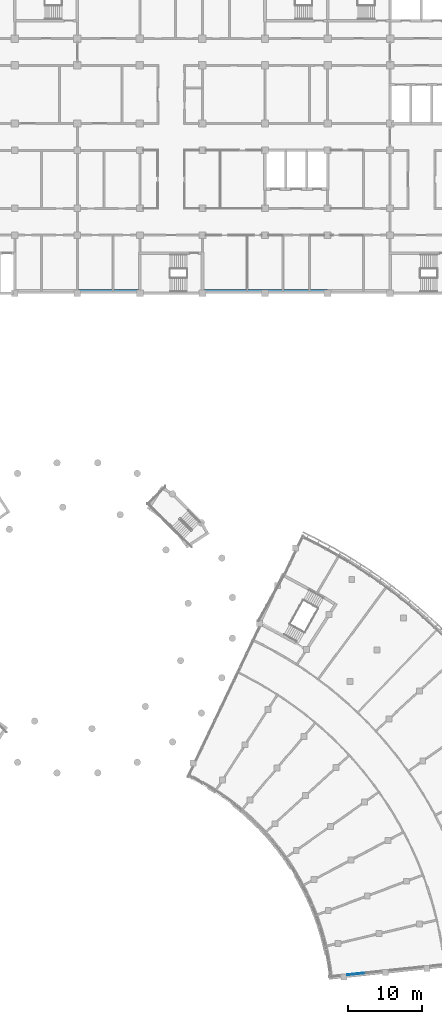
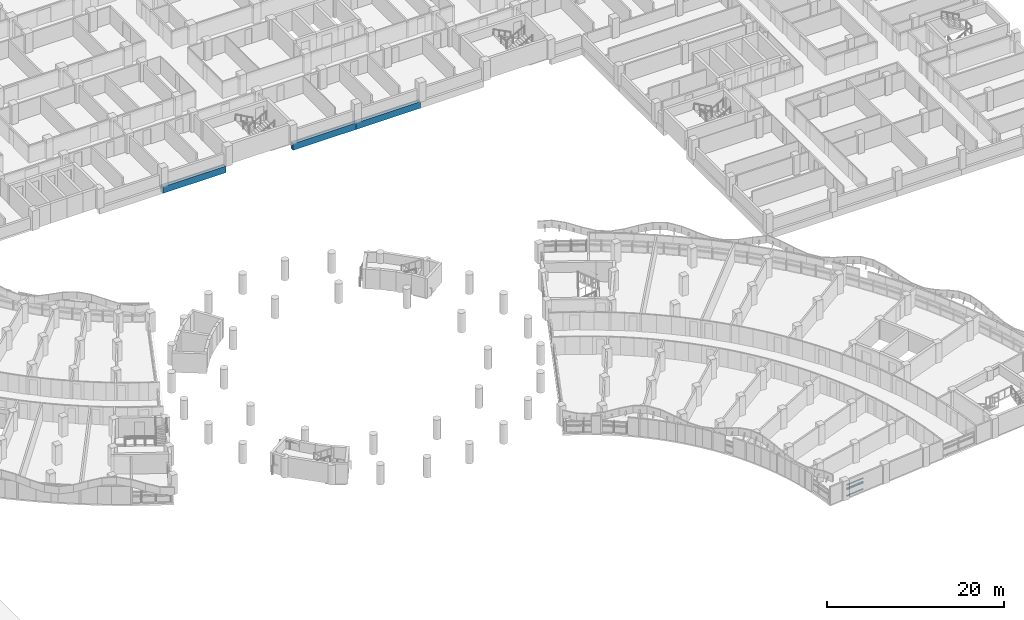
# One storey, part 18 of 89: 4 members, 3 beams, 1 element without a shape of its own.
"""IFC4 building model written with IfcOpenShell, lengths in metres."""

from ifc_helpers import new_model, si_unit, direction, frame, origin, origin_2d, place, context, subcontext, project, spatial, rectangle, extrude, material, material_profile, profile_set, type_object, element, aggregate, save


model = new_model("IFC4")

# Units and contexts
model_context = context("Model", 3, precision=1e-05, world=origin(), true_north=direction((0.0, 1.0)))
body_context = subcontext(model_context, "Body", "Model", "MODEL_VIEW")
ifc_project = project(units=[si_unit("LENGTHUNIT", "METRE"), si_unit("AREAUNIT", "SQUARE_METRE"), si_unit("VOLUMEUNIT", "CUBIC_METRE"), si_unit("PLANEANGLEUNIT", "RADIAN"), si_unit("MASSUNIT", "GRAM", prefix="KILO")], contexts=[model_context])

# Site, building, storey
site_placement = place(None, origin())
site = spatial("IfcSite", under=ifc_project, at=site_placement, CompositionType="ELEMENT")
building_placement = place(site_placement, origin())
building = spatial("IfcBuilding", under=site, at=building_placement, Name="Bougainvillea Quay General Hospital", CompositionType="ELEMENT")
storey_placement = place(building_placement, frame((0.0, 0.0, 9.89990234375)))
storey = spatial("IfcBuildingStorey", under=building, at=storey_placement, Name="L01M", CompositionType="ELEMENT", Elevation=9.89990234375)

# Curtain wall, members
ifc_material_1 = material(Name="Aluminium curtain wall system, powder-coated glazed", Category="aluminium")
curtain_wall_type = type_object("IfcCurtainWallType", Name="Unitised curtain wall CW-2380", PredefinedType="NOTDEFINED", material=ifc_material_1)
curtain_wall_placement = place(storey_placement, origin())
curtain_wall = element("IfcCurtainWall", 1, at=curtain_wall_placement, inside=storey, type_object=curtain_wall_type, Name="CW-AE 01", PredefinedType="NOTDEFINED")
ifc_material_2 = material(Name="Aluminium transom, powder-coated charcoal", Category="aluminium")
ifc_material_profile_1 = material_profile(ifc_material_2, rectangle(XDim=0.1201171875, YDim=0.06005859375, at=origin_2d()))
ifc_profile_set_1 = profile_set([ifc_material_profile_1], Name="Aluminium transom, powder-coated charcoal")
member_type = type_object("IfcMemberType", Name="Curtain wall transom 120x60", PredefinedType="USERDEFINED", material=ifc_profile_set_1)
member_1_placement = place(storey_placement, frame((145.45458984375, 26.061767578125, 0.030029296875), z_axis=(0.994515379813, 0.104590436063, 0.0), x_axis=(-0.104590436063, 0.994515379813, 0.0)))
member_1 = element("IfcMember", 2, at=member_1_placement, type_object=member_type, Name="CW-AE transom 1.1", ObjectType="TRANSOM", PredefinedType="USERDEFINED", context=body_context, shape_type="SweptSolid", body=[
    extrude(rectangle(XDim=0.1201171875, YDim=0.06005859375, at=origin_2d()), origin(), (0.0, 0.0, 1.0), 2.289794921875),
])
member_2_placement = place(storey_placement, frame((145.45458984375, 26.061767578125, 0.900146484375), z_axis=(0.994515379813, 0.104590436063, 0.0), x_axis=(-0.104590436063, 0.994515379813, 0.0)))
member_2 = element("IfcMember", 3, at=member_2_placement, type_object=member_type, Name="CW-AE transom 1.2", ObjectType="TRANSOM", PredefinedType="USERDEFINED", context=body_context, shape_type="SweptSolid", body=[
    extrude(rectangle(XDim=0.1201171875, YDim=0.06005859375, at=origin_2d()), origin(), (0.0, 0.0, 1.0), 2.289794921875),
])
member_3_placement = place(storey_placement, frame((145.45458984375, 26.061767578125, 1.050048828125), z_axis=(0.994515379813, 0.104590436063, 0.0), x_axis=(-0.104590436063, 0.994515379813, 0.0)))
member_3 = element("IfcMember", 4, at=member_3_placement, type_object=member_type, Name="CW-AE transom 1.3", ObjectType="TRANSOM", PredefinedType="USERDEFINED", context=body_context, shape_type="SweptSolid", body=[
    extrude(rectangle(XDim=0.1201171875, YDim=0.06005859375, at=origin_2d()), origin(), (0.0, 0.0, 1.0), 2.289794921875),
])
member_4_placement = place(storey_placement, frame((145.45458984375, 26.061767578125, 1.52001953125), z_axis=(0.994515379813, 0.104590436063, 0.0), x_axis=(-0.104590436063, 0.994515379813, 0.0)))
member_4 = element("IfcMember", 5, at=member_4_placement, type_object=member_type, Name="CW-AE transom 1.4", ObjectType="TRANSOM", PredefinedType="USERDEFINED", context=body_context, shape_type="SweptSolid", body=[
    extrude(rectangle(XDim=0.1201171875, YDim=0.06005859375, at=origin_2d()), origin(), (0.0, 0.0, 1.0), 2.289794921875),
])
aggregate(curtain_wall, [member_1, member_2, member_3, member_4])

# Beams
ifc_material_3 = material(Name="Concrete C40", Category="concrete")
ifc_material_profile_2 = material_profile(ifc_material_3, rectangle(XDim=0.5, YDim=0.89990234375, at=origin_2d()))
ifc_profile_set_2 = profile_set([ifc_material_profile_2], Name="Concrete C40")
beam_type = type_object("IfcBeamType", Name="RC BEAM 500x900 C40", PredefinedType="BEAM", material=ifc_profile_set_2)
beam_1_placement = place(storey_placement, frame((109.199951171875, 117.85009765625, -0.699951171875), z_axis=(1.0, 0.0, 0.0), x_axis=(0.0, 1.0, 0.0)))
element("IfcBeam", 6, at=beam_1_placement, inside=storey, type_object=beam_type, Name="Edge beam L01M", PredefinedType="BEAM", context=body_context, shape_type="SweptSolid", body=[
    extrude(rectangle(XDim=0.5, YDim=0.89990234375, at=origin_2d()), origin(), (0.0, 0.0, 1.0), 8.22509765625),
])
beam_2_placement = place(storey_placement, frame((126.175048828125, 117.85009765625, -0.699951171875), z_axis=(1.0, 0.0, 0.0), x_axis=(0.0, 1.0, 0.0)))
element("IfcBeam", 7, at=beam_2_placement, inside=storey, type_object=beam_type, Name="Edge beam L01M", PredefinedType="BEAM", context=body_context, shape_type="SweptSolid", body=[
    extrude(rectangle(XDim=0.5, YDim=0.89990234375, at=origin_2d()), origin(), (0.0, 0.0, 1.0), 8.224853515625),
])
beam_3_placement = place(storey_placement, frame((134.39990234375, 117.85009765625, -0.699951171875), z_axis=(1.0, 0.0, 0.0), x_axis=(0.0, 1.0, 0.0)))
element("IfcBeam", 8, at=beam_3_placement, inside=storey, type_object=beam_type, Name="Edge beam L01M", PredefinedType="BEAM", context=body_context, shape_type="SweptSolid", body=[
    extrude(rectangle(XDim=0.5, YDim=0.89990234375, at=origin_2d()), origin(), (0.0, 0.0, 1.0), 8.400146484375),
])

save(model, "model.ifc")
